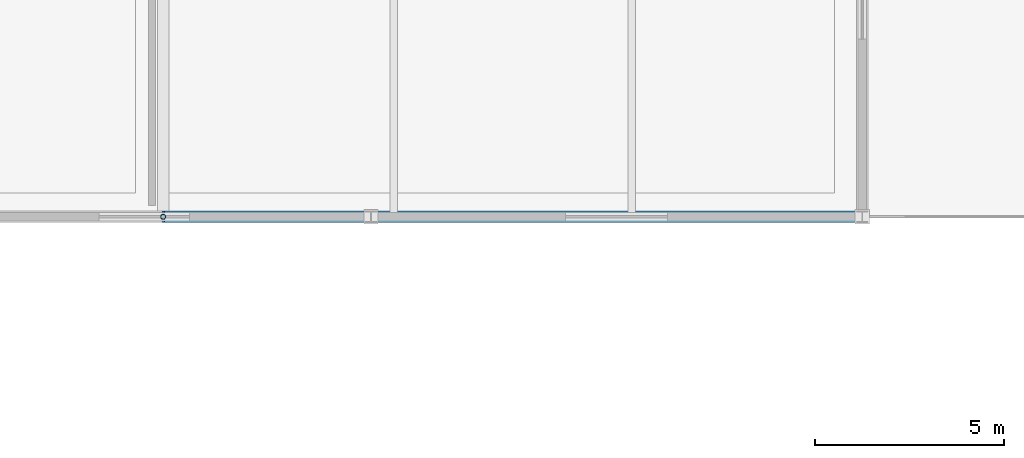
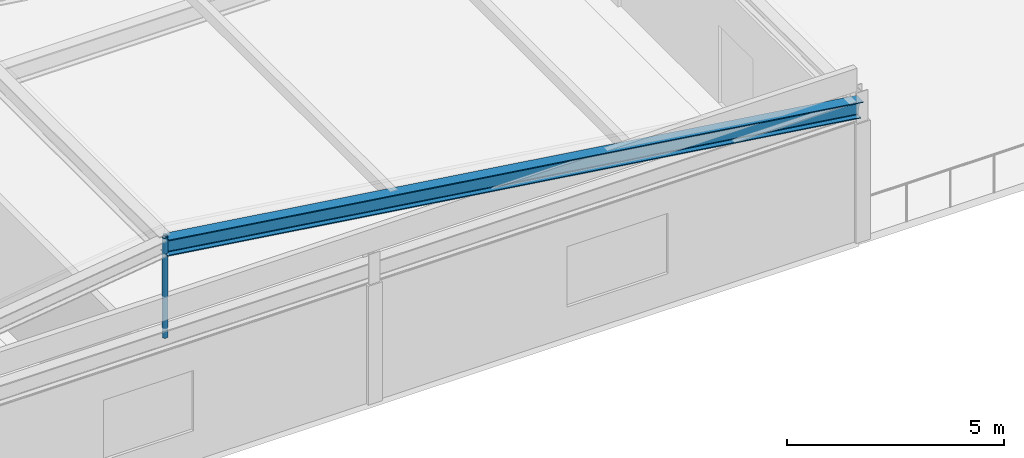
# One storey, part 12 of 63: 2 members.
"""IFC4 building model written with IfcOpenShell, lengths in metres."""

from ifc_helpers import new_model, si_unit, direction, frame, origin, origin_2d, place, context, subcontext, project, spatial, hollow_circle, i_section, extrude, material, material_profile, profile_set, type_object, element, save


model = new_model("IFC4")

# Units and contexts
model_context = context("Model", 3, precision=1e-05, world=origin(), true_north=direction((0.0, 1.0)))
body_context = subcontext(model_context, "Body", "Model", "MODEL_VIEW")
ifc_project = project(units=[si_unit("LENGTHUNIT", "METRE"), si_unit("AREAUNIT", "SQUARE_METRE"), si_unit("VOLUMEUNIT", "CUBIC_METRE"), si_unit("PLANEANGLEUNIT", "RADIAN"), si_unit("MASSUNIT", "GRAM", prefix="KILO")], contexts=[model_context])

# Site, building, storey
site_placement = place(None, origin())
site = spatial("IfcSite", under=ifc_project, at=site_placement, CompositionType="ELEMENT")
building_placement = place(site_placement, origin())
building = spatial("IfcBuilding", under=site, at=building_placement, Name="Tarnveldt Headland Concert Hall", CompositionType="ELEMENT")
storey_placement = place(building_placement, frame((0.0, 0.0, 14.39990234375)))
storey = spatial("IfcBuildingStorey", under=building, at=storey_placement, Name="L03", CompositionType="ELEMENT", Elevation=14.39990234375)

# Members
ifc_material = material(Name="Steel S355", Category="steel")
ifc_material_profile_1 = material_profile(ifc_material, i_section(OverallWidth=0.300048828125, OverallDepth=0.449951171875, WebThickness=0.013916015625, FlangeThickness=0.02587890625, FilletRadius=0.027099609375, at=origin_2d()), Name="HEB450", Category="steel")
ifc_profile_set_1 = profile_set([ifc_material_profile_1], Name="Steel S355")
member_type_1 = type_object("IfcMemberType", Name="RF-HEB450", PredefinedType="RAFTER", material=ifc_profile_set_1)
member_1_placement = place(storey_placement, frame((26.0, 60.0, 6.260009765625), z_axis=(0.990416332832, 0.0, -0.138114038601), x_axis=(0.0, 1.0, 0.0)))
element("IfcMember", 1, at=member_1_placement, inside=storey, type_object=member_type_1, Name="ROOF TRUSS Rehearsal rafter S-1E", PredefinedType="RAFTER", context=body_context, shape_type="SweptSolid", body=[
    extrude(i_section(OverallWidth=0.300048828125, OverallDepth=0.449951171875, WebThickness=0.013916015625, FlangeThickness=0.02587890625, FilletRadius=0.027099609375, at=origin_2d()), origin(), (0.0, 0.0, 1.0), 18.678955078125),
])
ifc_material_profile_2 = material_profile(ifc_material, hollow_circle(Radius=0.06982421875, WallThickness=0.010009765625, at=origin_2d()), Name="CHS 139.7x10", Category="steel")
ifc_profile_set_2 = profile_set([ifc_material_profile_2], Name="Steel S355")
member_type_2 = type_object("IfcMemberType", Name="TR-WEB140", PredefinedType="BRACE", material=ifc_profile_set_2)
member_2_placement = place(storey_placement, frame((26.0, 60.0, 3.68017578125), z_axis=(0.0, 0.0, 1.0), x_axis=(1.0, 0.0, 0.0)))
element("IfcMember", 2, at=member_2_placement, inside=storey, type_object=member_type_2, Name="KP-02 Roof truss kingpost strut S-1", PredefinedType="BRACE", context=body_context, shape_type="SweptSolid", body=[
    extrude(hollow_circle(Radius=0.06982421875, WallThickness=0.010009765625, at=origin_2d()), origin(), (0.0, 0.0, 1.0), 2.81982421875),
])

save(model, "model.ifc")
